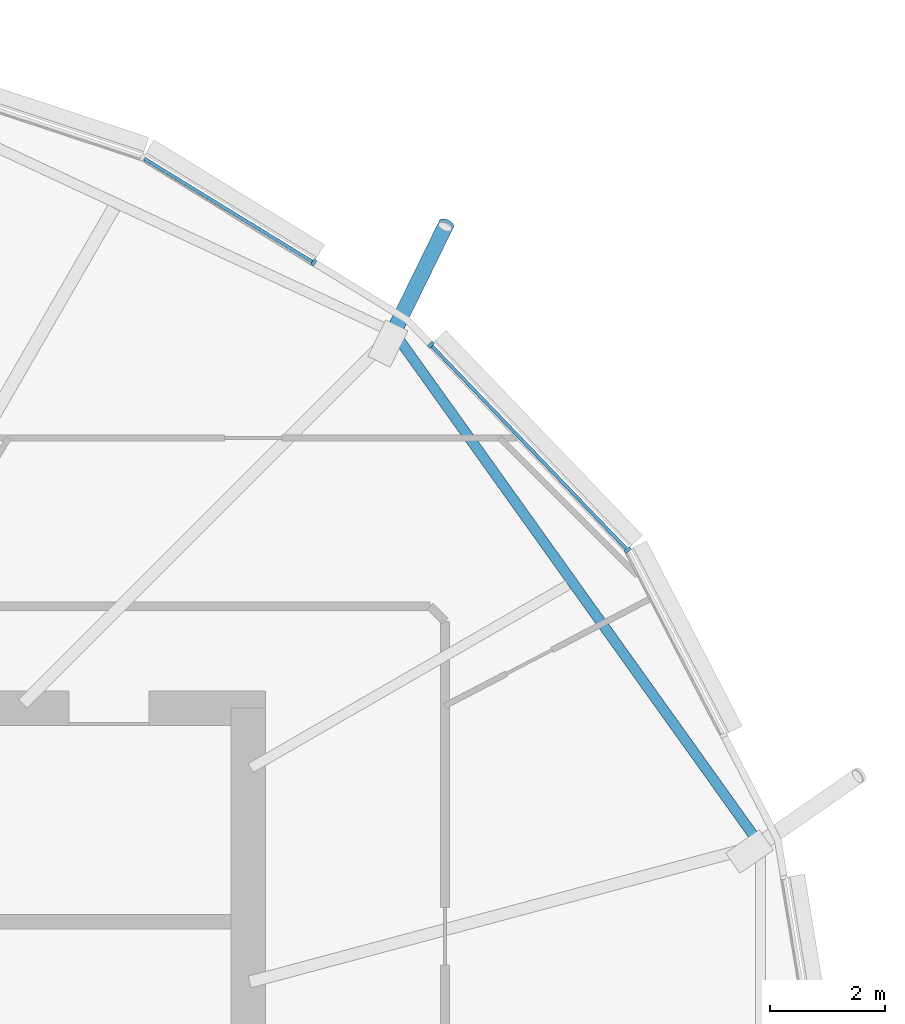
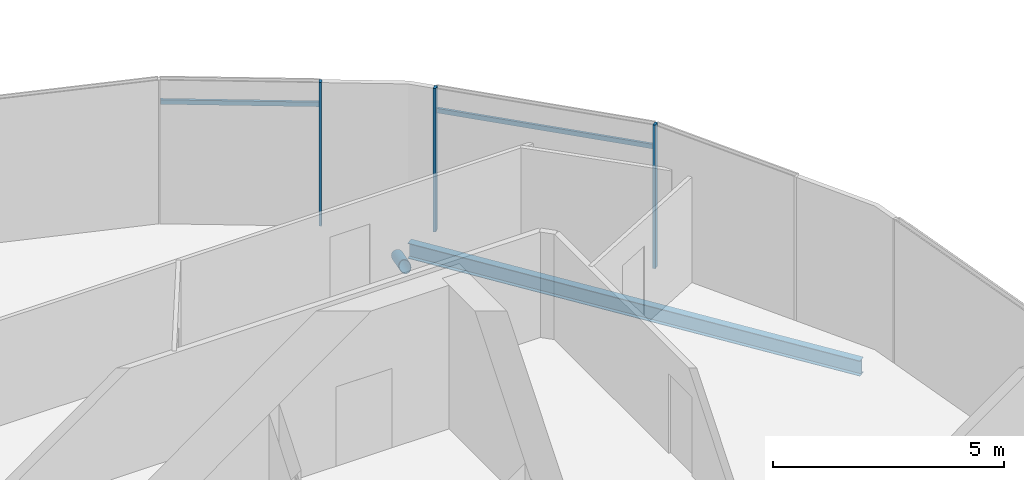
# One storey, part 10 of 36: 6 members, 1 beam, 1 element without a shape of its own.
"""IFC4 building model written with IfcOpenShell, lengths in metres."""

import ifcopenshell
import ifcopenshell.guid

model = None  # the IFC model being written
_history = None  # IfcOwnerHistory: only IFC2X3 demands one
_inside = {}  # id of a spatial element -> (the spatial element, [elements in it])
_under = {}  # id of a project, library or spatial element -> (it, [spatial elements below it])
_declared = {}  # id of a project -> (the project, [libraries it declares])
_typed = {}  # id of a type object -> (the type object, [elements of that type])
_made_of = {}  # id of a material, layer set ... -> (it, [elements and type objects made of it])


def new_model(schema):
    """Start an empty IFC model of exactly this schema.

    Asked for "IFC4X3", IfcOpenShell would pick the latest addendum, in which some entities
    have other attributes; the version numbers below select the first issue.
    IFC2X3 requires an IfcOwnerHistory on every rooted entity: one is made here for all.
    """
    global model, _history
    if schema == "IFC4X3":
        model = ifcopenshell.file(schema_version=(4, 3, 0, 0))
    else:
        model = ifcopenshell.file(schema=schema)
    _inside.clear()
    _under.clear()
    _declared.clear()
    _typed.clear()
    _made_of.clear()
    _history = None
    if model.schema == "IFC2X3":
        org = make("IfcOrganization", Name="unknown")
        user = make(
            "IfcPersonAndOrganization",
            ThePerson=make("IfcPerson", FamilyName="unknown"),
            TheOrganization=org,
        )
        app = make(
            "IfcApplication",
            ApplicationDeveloper=org,
            Version="unknown",
            ApplicationFullName="unknown",
            ApplicationIdentifier="unknown",
        )
        _history = make(
            "IfcOwnerHistory",
            OwningUser=user,
            OwningApplication=app,
            ChangeAction="ADDED",
            CreationDate=0,
        )
    return model


def make(cls, **values):
    """One entity of the class cls with the attributes given. An attribute that is None is left unset."""
    return model.create_entity(
        cls, **{name: value for name, value in values.items() if value is not None}
    )


def rooted(cls, **values):
    """An entity with a GlobalId (a new one), such as an element, a storey or a relation."""
    return make(cls, GlobalId=ifcopenshell.guid.new(), OwnerHistory=_history, **values)


def si_unit(unit_type, name, prefix=None):
    """IfcSIUnit, for example si_unit("LENGTHUNIT", "METRE", prefix="MILLI")."""
    return make("IfcSIUnit", UnitType=unit_type, Prefix=prefix, Name=name)


def assignment(units):
    """IfcUnitAssignment: the units of a project."""
    return None if units is None else make("IfcUnitAssignment", Units=units)


def point(xyz):
    """IfcCartesianPoint."""
    return None if xyz is None else make("IfcCartesianPoint", Coordinates=xyz)


def direction(xyz):
    """IfcDirection."""
    return None if xyz is None else make("IfcDirection", DirectionRatios=xyz)


def frame(location, z_axis=None, x_axis=None):
    """IfcAxis2Placement3D, a coordinate frame: its origin and axes. An axis left out is left unset."""
    return make(
        "IfcAxis2Placement3D",
        Location=point(location),
        Axis=direction(z_axis),
        RefDirection=direction(x_axis),
    )


def frame_2d(location, x_axis=None):
    """IfcAxis2Placement2D, a coordinate frame in the plane: its origin and x axis."""
    return make(
        "IfcAxis2Placement2D", Location=point(location), RefDirection=direction(x_axis)
    )


def origin():
    """The frame at (0, 0, 0) with its axes left unset."""
    return frame((0.0, 0.0, 0.0))


def origin_2d():
    """The frame at (0, 0) in the plane with its x axis left unset."""
    return frame_2d((0.0, 0.0))


def place(relative_to, where):
    """IfcLocalPlacement: puts the frame where relative to a parent placement (None: the world)."""
    return make(
        "IfcLocalPlacement", PlacementRelTo=relative_to, RelativePlacement=where
    )


def context(
    kind, dimensions, precision=None, world=None, true_north=None, identifier=None
):
    """IfcGeometricRepresentationContext, for example the 3D "Model" context."""
    return make(
        "IfcGeometricRepresentationContext",
        ContextIdentifier=identifier,
        ContextType=kind,
        CoordinateSpaceDimension=dimensions,
        Precision=precision,
        WorldCoordinateSystem=world,
        TrueNorth=true_north,
    )


def subcontext(parent, identifier, kind, view, scale=None):
    """IfcGeometricRepresentationSubContext, for example "Body" below "Model"."""
    return make(
        "IfcGeometricRepresentationSubContext",
        ContextIdentifier=identifier,
        ContextType=kind,
        ParentContext=parent,
        TargetScale=scale,
        TargetView=view,
    )


def project(units=None, contexts=None):
    """IfcProject with its units and contexts."""
    return rooted(
        "IfcProject",
        Name="project",
        RepresentationContexts=contexts,
        UnitsInContext=assignment(units),
    )


def spatial(cls, under=None, at=None, **own):
    """A site, building, storey or space (cls), placed at a placement, below another one or the project."""
    s = rooted(cls, ObjectPlacement=at, **own)
    if under is not None:
        _under.setdefault(under.id(), (under, []))[1].append(s)
    return s


def profile(cls, at=None, kind="AREA", **sizes):
    """A parametric profile (cls). Its sizes go by their IFC names, for example OverallWidth=200.0."""
    return make(cls, ProfileType=kind, Position=at, **sizes)


def rectangle(**sizes):
    """IfcRectangleProfileDef."""
    return profile("IfcRectangleProfileDef", **sizes)


def hollow_circle(**sizes):
    """IfcCircleHollowProfileDef."""
    return profile("IfcCircleHollowProfileDef", **sizes)


def i_section(**sizes):
    """IfcIShapeProfileDef."""
    return profile("IfcIShapeProfileDef", **sizes)


def extrude(swept, where, along, depth):
    """IfcExtrudedAreaSolid: the profile swept, set in the frame where, extruded along a direction by depth."""
    return make(
        "IfcExtrudedAreaSolid",
        SweptArea=swept,
        Position=where,
        ExtrudedDirection=direction(along),
        Depth=depth,
    )


def clip(a, b, op="DIFFERENCE"):
    """IfcBooleanClippingResult: the solid a cut by the half space b."""
    return make(
        "IfcBooleanClippingResult", Operator=op, FirstOperand=a, SecondOperand=b
    )


def halfspace(plane, agree):
    """IfcHalfSpaceSolid: all space on one side of the plane z = 0 of the frame plane."""
    return make(
        "IfcHalfSpaceSolid",
        BaseSurface=make("IfcPlane", Position=plane),
        AgreementFlag=agree,
    )


def shape(context_of_items, identifier, shape_type, items):
    """IfcShapeRepresentation: the items that make up one representation, for example the "Body"."""
    return make(
        "IfcShapeRepresentation",
        ContextOfItems=context_of_items,
        RepresentationIdentifier=identifier,
        RepresentationType=shape_type,
        Items=items,
    )


def material(Name=None, Category=None):
    """IfcMaterial."""
    return make("IfcMaterial", Name=Name, Category=Category)


def material_profile(
    of_material, cross_section, Name=None, Category=None, Priority=None
):
    """IfcMaterialProfile: a cross section and its material."""
    return make(
        "IfcMaterialProfile",
        Name=Name,
        Material=of_material,
        Profile=cross_section,
        Priority=Priority,
        Category=Category,
    )


def profile_set(profiles, Name=None, composite=None):
    """IfcMaterialProfileSet."""
    return make(
        "IfcMaterialProfileSet",
        Name=Name,
        MaterialProfiles=profiles,
        CompositeProfile=composite,
    )


def made_of(thing, what):
    """Note that an element or type object is made of a material, layer set ...; save() writes the relation."""
    if what is not None:
        _made_of.setdefault(what.id(), (what, []))[1].append(thing)
    return thing


def type_object(cls, material=None, **own):
    """A type object (cls), such as IfcWallType, which elements share."""
    return made_of(rooted(cls, **own), material)


def element(
    cls,
    number,
    at=None,
    inside=None,
    cuts=None,
    type_object=None,
    material=None,
    context=None,
    identifier="Body",
    shape_type=None,
    held_by="IfcProductDefinitionShape",
    body=None,
    shapes=None,
    **own,
):
    """One element of the class cls, such as IfcWall. Its Tag is "e" and its number.

    at: its placement. inside: the storey or other place that contains it. cuts: it is an
    opening in that element (IfcRelVoidsElement). A single representation is given by context,
    identifier, shape_type and body (its items); several are given by shapes. held_by: the class
    of the entity that holds the representations. save() writes the other relations.
    """
    e = rooted(cls, Tag="e%d" % number, ObjectPlacement=at, **own)
    if body is not None:
        shapes = [shape(context, identifier, shape_type, body)]
    if shapes is not None:
        e.Representation = make(held_by, Representations=shapes)
    if inside is not None:
        _inside.setdefault(inside.id(), (inside, []))[1].append(e)
    if cuts is not None:
        rooted(
            "IfcRelVoidsElement", RelatingBuildingElement=cuts, RelatedOpeningElement=e
        )
    if type_object is not None:
        _typed.setdefault(type_object.id(), (type_object, []))[1].append(e)
    return made_of(e, material)


def aggregate(whole, parts):
    """IfcRelAggregates: a whole, such as a stair, and the parts it consists of."""
    return rooted("IfcRelAggregates", RelatingObject=whole, RelatedObjects=parts)


def save(model, path):
    """Write the relations noted so far, then the file.

    IfcRelAggregates (storeys below a building ...), IfcRelContainedInSpatialStructure (elements
    in a storey), IfcRelDefinesByType, IfcRelAssociatesMaterial and IfcRelDeclares: one each for
    every whole, place, type object, material and project.
    """
    for whole, parts in _under.values():
        aggregate(whole, parts)
    for where, things in _inside.values():
        rooted(
            "IfcRelContainedInSpatialStructure",
            RelatedElements=things,
            RelatingStructure=where,
        )
    for kind, things in _typed.values():
        rooted("IfcRelDefinesByType", RelatedObjects=things, RelatingType=kind)
    for what, things in _made_of.values():
        rooted("IfcRelAssociatesMaterial", RelatedObjects=things, RelatingMaterial=what)
    for by, libraries in _declared.values():
        rooted("IfcRelDeclares", RelatingContext=by, RelatedDefinitions=libraries)
    model.write(path)


model = new_model("IFC4")

# Units and contexts
model_context = context("Model", 3, precision=1e-05, world=origin(), true_north=direction((0.0, 1.0)))
body_context = subcontext(model_context, "Body", "Model", "MODEL_VIEW")
ifc_project = project(units=[si_unit("LENGTHUNIT", "METRE"), si_unit("AREAUNIT", "SQUARE_METRE"), si_unit("VOLUMEUNIT", "CUBIC_METRE"), si_unit("PLANEANGLEUNIT", "RADIAN"), si_unit("MASSUNIT", "GRAM", prefix="KILO")], contexts=[model_context])

# Site, building, storey
site_placement = place(None, origin())
site = spatial("IfcSite", under=ifc_project, at=site_placement, CompositionType="ELEMENT")
building_placement = place(site_placement, origin())
building = spatial("IfcBuilding", under=site, at=building_placement, Name="Rimbun Link Towers", CompositionType="ELEMENT")
storey_placement = place(building_placement, frame((0.0, 0.0, 174.10009765625)))
storey = spatial("IfcBuildingStorey", under=building, at=storey_placement, Name="L42", CompositionType="ELEMENT", Elevation=174.10009765625)

# Curtain wall, members
ifc_material_1 = material(Name="Aluminium 6063-T6 and low-iron glass", Category="aluminium")
curtain_wall_type = type_object("IfcCurtainWallType", Name="CW1-Z3 unitised vision wall (zone 3)", PredefinedType="NOTDEFINED", material=ifc_material_1)
curtain_wall_placement = place(storey_placement, origin())
curtain_wall = element("IfcCurtainWall", 1, at=curtain_wall_placement, inside=storey, type_object=curtain_wall_type, Name="CW1 L42 T1", PredefinedType="NOTDEFINED")
ifc_material_2 = material(Name="Aluminium 6063-T6", Category="aluminium")
ifc_material_profile_1 = material_profile(ifc_material_2, rectangle(XDim=0.1201171875, YDim=0.06005859375, at=origin_2d()), Name="MULLION 60X120")
ifc_profile_set_1 = profile_set([ifc_material_profile_1], Name="Aluminium 6063-T6")
member_type_1 = type_object("IfcMemberType", Name="CW1 mullion 60X120", PredefinedType="MULLION", material=ifc_profile_set_1)
member_1_placement = place(storey_placement, frame((-13.127685546875, 10.75830078125, 0.0), z_axis=(0.0, 0.0, 1.0), x_axis=(0.813350034024, 0.581774631754, 0.0)))
member_1 = element("IfcMember", 2, at=member_1_placement, type_object=member_type_1, Name="CW1 mullion", PredefinedType="MULLION", context=body_context, shape_type="SweptSolid", body=[
    extrude(rectangle(XDim=0.1201171875, YDim=0.06005859375, at=origin_2d()), origin(), (0.0, 0.0, 1.0), 3.7998046875),
])
member_2_placement = place(storey_placement, frame((-16.56005859375, 14.339599609375, 0.0), z_axis=(0.0, 0.0, 1.0), x_axis=(0.721853979368, 0.692045397695, 0.0)))
member_2 = element("IfcMember", 3, at=member_2_placement, type_object=member_type_1, Name="CW1 mullion", PredefinedType="MULLION", context=body_context, shape_type="SweptSolid", body=[
    extrude(rectangle(XDim=0.1201171875, YDim=0.06005859375, at=origin_2d()), origin(), (0.0, 0.0, 1.0), 3.7998046875),
])
member_3_placement = place(storey_placement, frame((-18.6064453125, 15.776611328125, 0.0), z_axis=(0.0, 0.0, 1.0), x_axis=(0.523231382934, 0.852190659368, 0.0)))
member_3 = element("IfcMember", 4, at=member_3_placement, type_object=member_type_1, Name="CW1 mullion", PredefinedType="MULLION", context=body_context, shape_type="SweptSolid", body=[
    extrude(rectangle(XDim=0.1201171875, YDim=0.06005859375, at=origin_2d()), origin(), (0.0, 0.0, 1.0), 3.7998046875),
])
ifc_material_3 = material(Name="Aluminium 6063-T6", Category="aluminium")
ifc_material_profile_2 = material_profile(ifc_material_3, rectangle(XDim=0.06005859375, YDim=0.1201171875, at=origin_2d()), Name="TRANSOM 60X120")
ifc_profile_set_2 = profile_set([ifc_material_profile_2], Name="Aluminium 6063-T6")
member_type_2 = type_object("IfcMemberType", Name="CW1 transom 60X120", PredefinedType="USERDEFINED", material=ifc_profile_set_2)
member_4_placement = place(storey_placement, frame((-16.540771484375, 14.316650390625, 3.199951171875), z_axis=(0.692052764793, -0.721846916418, 0.0), x_axis=(0.721846916418, 0.692052764793, 0.0)))
member_4 = element("IfcMember", 5, at=member_4_placement, type_object=member_type_2, Name="CW1 transom", ObjectType="TRANSOM", PredefinedType="USERDEFINED", context=body_context, shape_type="SweptSolid", body=[
    extrude(rectangle(XDim=0.06005859375, YDim=0.1201171875, at=origin_2d()), origin(), (0.0, 0.0, 1.0), 4.891845703125),
])
member_5_placement = place(storey_placement, frame((-21.5595703125, 17.58740234375, 3.199951171875), z_axis=(0.852185129283, -0.523240389716, 0.0), x_axis=(0.523240389716, 0.852185129283, 0.0)))
member_5 = element("IfcMember", 6, at=member_5_placement, type_object=member_type_2, Name="CW1 transom", ObjectType="TRANSOM", PredefinedType="USERDEFINED", context=body_context, shape_type="SweptSolid", body=[
    extrude(rectangle(XDim=0.06005859375, YDim=0.1201171875, at=origin_2d()), origin(), (0.0, 0.0, 1.0), 3.43408203125),
])
aggregate(curtain_wall, [member_1, member_2, member_3, member_4, member_5])

# Member
ifc_material_4 = material(Name="Steel S355J2H", Category="steel")
ifc_material_profile_3 = material_profile(ifc_material_4, hollow_circle(Radius=0.136474609375, WallThickness=0.012451171875, at=origin_2d()), Name="CHS 273x12.5")
ifc_profile_set_3 = profile_set([ifc_material_profile_3], Name="Steel S355J2H")
member_type_3 = type_object("IfcMemberType", Name="Floor edge link CHS 273x12.5", PredefinedType="BRACE", material=ifc_profile_set_3)
member_6_placement = place(storey_placement, frame((-17.23583984375, 14.51416015625, -0.801025390625), z_axis=(0.381452024748, 0.778895993949, -0.49781058991), x_axis=(-0.898084594322, 0.439822761396, 0.0)))
element("IfcMember", 7, at=member_6_placement, inside=storey, type_object=member_type_3, Name="Floor edge link T1 L42 03", PredefinedType="BRACE", context=body_context, shape_type="Clipping", body=[
    clip(extrude(hollow_circle(Radius=0.136474609375, WallThickness=0.012451171875, at=origin_2d()), frame((0.0, 0.0, -0.49560546875)), (0.0, 0.0, 1.0), 2.984130859375), halfspace(frame((0.0, 0.0, -0.232666015625), z_axis=(0.0, 0.867285775609, -0.49781058991)), False)),
])

# Beam
ifc_material_5 = material(Name="Steel S355J2", Category="steel")
ifc_material_profile_4 = material_profile(ifc_material_5, i_section(OverallWidth=0.177978515625, OverallDepth=0.406494140625, WebThickness=0.0078125, FlangeThickness=0.0126953125, at=origin_2d()), Name="UB 406x178x60")
ifc_profile_set_4 = profile_set([ifc_material_profile_4], Name="Steel S355J2")
beam_type = type_object("IfcBeamType", Name="UB 406x178x60", PredefinedType="BEAM", material=ifc_profile_set_4)
beam_placement = place(storey_placement, frame((-10.877685546875, 5.701904296875, -0.353271484375), z_axis=(-0.581422632699, 0.813601697506, 0.0), x_axis=(-0.813601697506, -0.581422632699, 0.0)))
element("IfcBeam", 8, at=beam_placement, inside=storey, type_object=beam_type, Name="Edge beam T1 L42 01-03", PredefinedType="BEAM", context=body_context, shape_type="SweptSolid", body=[
    extrude(i_section(OverallWidth=0.177978515625, OverallDepth=0.406494140625, WebThickness=0.0078125, FlangeThickness=0.0126953125, at=origin_2d()), origin(), (0.0, 0.0, 1.0), 10.767578125),
])

save(model, "model.ifc")
